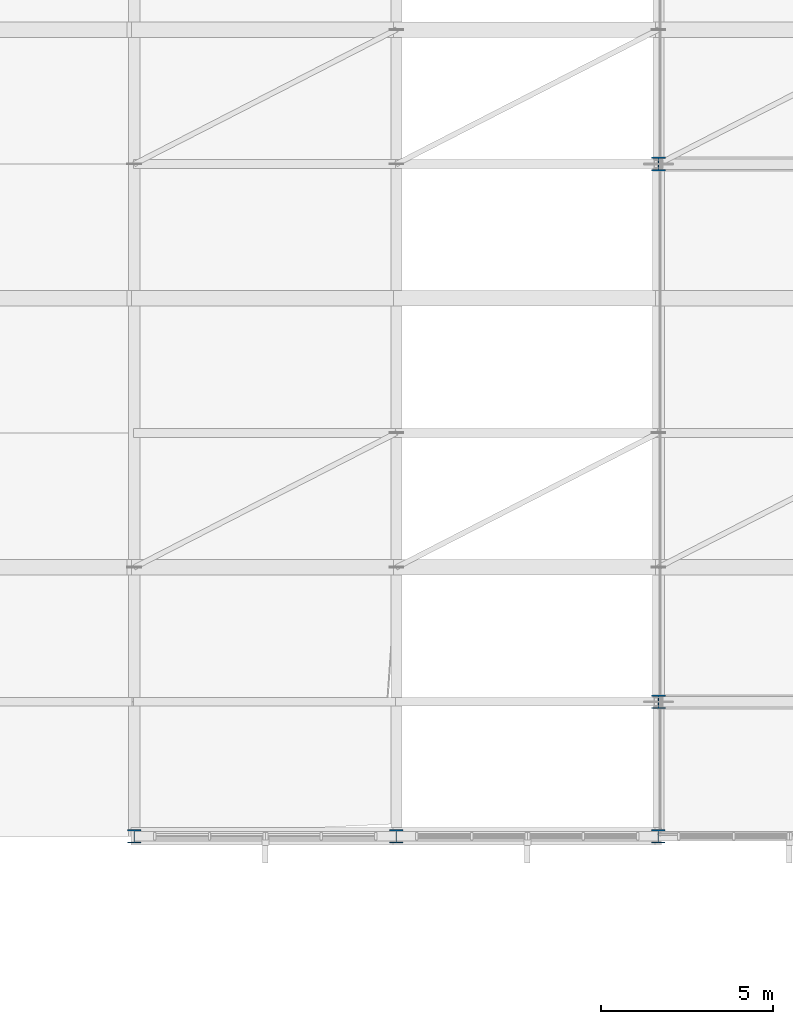
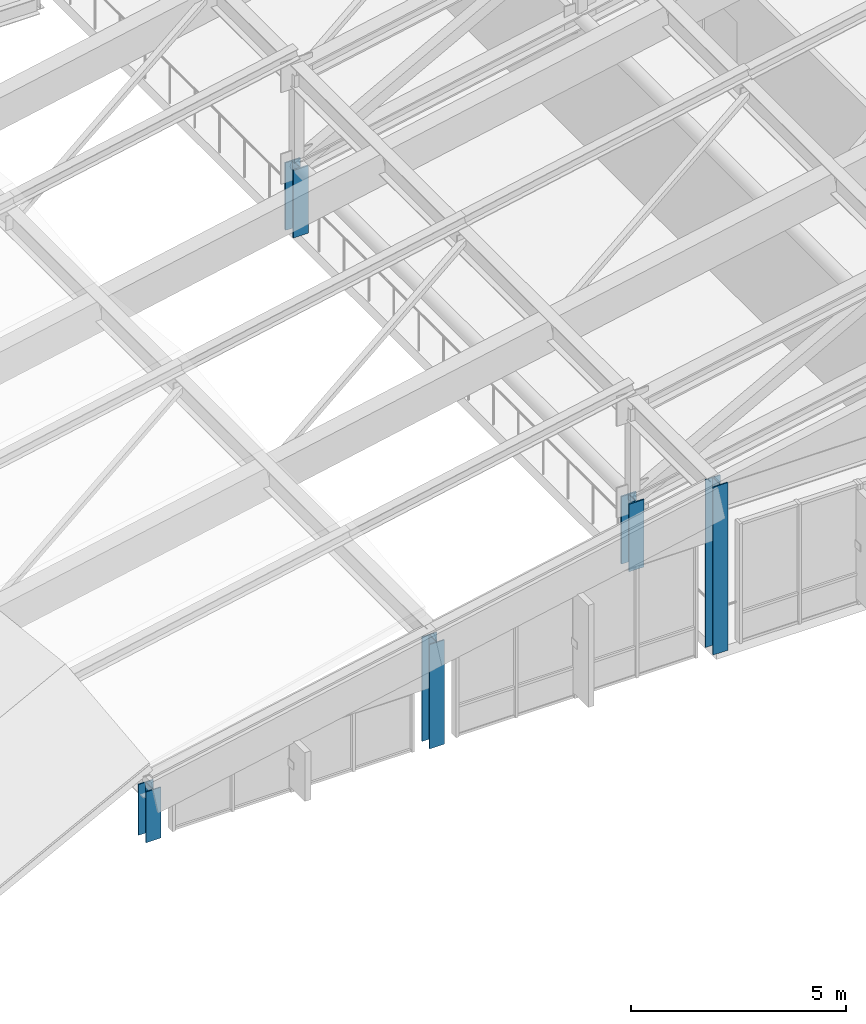
# One storey, part 3 of 73: 5 columns.
"""IFC4 building model written with IfcOpenShell, lengths in metres."""

from ifc_helpers import new_model, si_unit, direction, frame, origin, origin_2d, place, context, subcontext, project, spatial, i_section, extrude, material, material_profile, profile_set, type_object, element, save


model = new_model("IFC4")

# Units and contexts
model_context = context("Model", 3, precision=1e-05, world=origin(), true_north=direction((0.0, 1.0)))
body_context = subcontext(model_context, "Body", "Model", "MODEL_VIEW")
ifc_project = project(units=[si_unit("LENGTHUNIT", "METRE"), si_unit("AREAUNIT", "SQUARE_METRE"), si_unit("VOLUMEUNIT", "CUBIC_METRE"), si_unit("PLANEANGLEUNIT", "RADIAN"), si_unit("MASSUNIT", "GRAM", prefix="KILO")], contexts=[model_context])

# Site, building, storey
site_placement = place(None, origin())
site = spatial("IfcSite", under=ifc_project, at=site_placement, CompositionType="ELEMENT")
building_placement = place(site_placement, origin())
building = spatial("IfcBuilding", under=site, at=building_placement, Name="Vervanel Yard Central Library", CompositionType="ELEMENT")
storey_placement = place(building_placement, frame((0.0, 0.0, 12.780029296875)))
storey = spatial("IfcBuildingStorey", under=building, at=storey_placement, Name="L03", CompositionType="ELEMENT", Elevation=12.780029296875)

# Columns
ifc_material = material(Name="Steel ASTM A992 Grade 50", Category="steel")
ifc_material_profile_1 = material_profile(ifc_material, i_section(OverallWidth=0.396240234375, OverallDepth=0.381103515625, WebThickness=0.01904296875, FlangeThickness=0.0302734375, at=origin_2d()), Name="W14X159", Category="steel")
ifc_profile_set_1 = profile_set([ifc_material_profile_1], Name="Steel ASTM A992 Grade 50")
column_type_1 = type_object("IfcColumnType", Name="Steel Column W14X159", PredefinedType="COLUMN", material=ifc_profile_set_1)
column_1_placement = place(storey_placement, frame((108.0, 43.199951171875, 0.0), z_axis=(0.0, 0.0, 1.0), x_axis=(1.0, 0.0, 0.0)))
element("IfcColumn", 1, at=column_1_placement, inside=storey, type_object=column_type_1, Name="L03 Shell Perimeter Support Post S X=108.0", PredefinedType="COLUMN", context=body_context, shape_type="SweptSolid", body=[
    extrude(i_section(OverallWidth=0.396240234375, OverallDepth=0.381103515625, WebThickness=0.01904296875, FlangeThickness=0.0302734375, at=origin_2d()), origin(), (0.0, 0.0, 1.0), 1.43994140625),
])
column_2_placement = place(storey_placement, frame((115.60009765625, 43.199951171875, 0.0), z_axis=(0.0, 0.0, 1.0), x_axis=(1.0, 0.0, 0.0)))
element("IfcColumn", 2, at=column_2_placement, inside=storey, type_object=column_type_1, Name="L03 Shell Perimeter Support Post S X=115.6", PredefinedType="COLUMN", context=body_context, shape_type="SweptSolid", body=[
    extrude(i_section(OverallWidth=0.396240234375, OverallDepth=0.381103515625, WebThickness=0.01904296875, FlangeThickness=0.0302734375, at=origin_2d()), origin(), (0.0, 0.0, 1.0), 2.95703125),
])
column_3_placement = place(storey_placement, frame((123.199951171875, 43.199951171875, 0.0), z_axis=(0.0, 0.0, 1.0), x_axis=(1.0, 0.0, 0.0)))
element("IfcColumn", 3, at=column_3_placement, inside=storey, type_object=column_type_1, Name="L03 Shell Perimeter Support Post S X=123.2", PredefinedType="COLUMN", context=body_context, shape_type="SweptSolid", body=[
    extrude(i_section(OverallWidth=0.396240234375, OverallDepth=0.381103515625, WebThickness=0.01904296875, FlangeThickness=0.0302734375, at=origin_2d()), origin(), (0.0, 0.0, 1.0), 4.754150390625),
])
ifc_material_profile_2 = material_profile(ifc_material, i_section(OverallWidth=0.4013671875, OverallDepth=0.398681640625, WebThickness=0.02490234375, FlangeThickness=0.03955078125, at=origin_2d()), Name="W14X211", Category="steel")
ifc_profile_set_2 = profile_set([ifc_material_profile_2], Name="Steel ASTM A992 Grade 50")
column_type_2 = type_object("IfcColumnType", Name="Steel Tie-Down Column W14X211", PredefinedType="COLUMN", material=ifc_profile_set_2)
for number, where, z_axis, x_axis, name in (
    (4, (123.199951171875, 47.10009765625, 0.0), (0.0, 0.0, 1.0), (1.0, 0.0, 0.0), "L03 Prow Truss Tie-Down Post S"),
    (5, (123.199951171875, 62.699951171875, 0.0), (0.0, 0.0, 1.0), (1.0, 0.0, 0.0), "L03 Prow Truss Tie-Down Post N"),
):
    element("IfcColumn", number, at=place(storey_placement, frame(where, z_axis=z_axis, x_axis=x_axis)), inside=storey, type_object=column_type_2, Name=name, PredefinedType="COLUMN", context=body_context, shape_type="SweptSolid", body=[
        extrude(i_section(OverallWidth=0.4013671875, OverallDepth=0.398681640625, WebThickness=0.02490234375, FlangeThickness=0.03955078125, at=origin_2d()), origin(), (0.0, 0.0, 1.0), 1.9140625),
    ])

save(model, "model.ifc")
